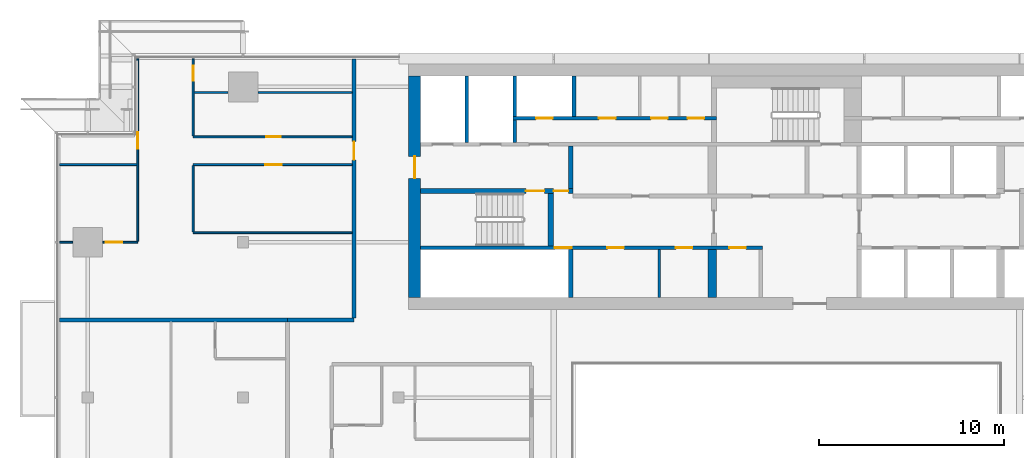
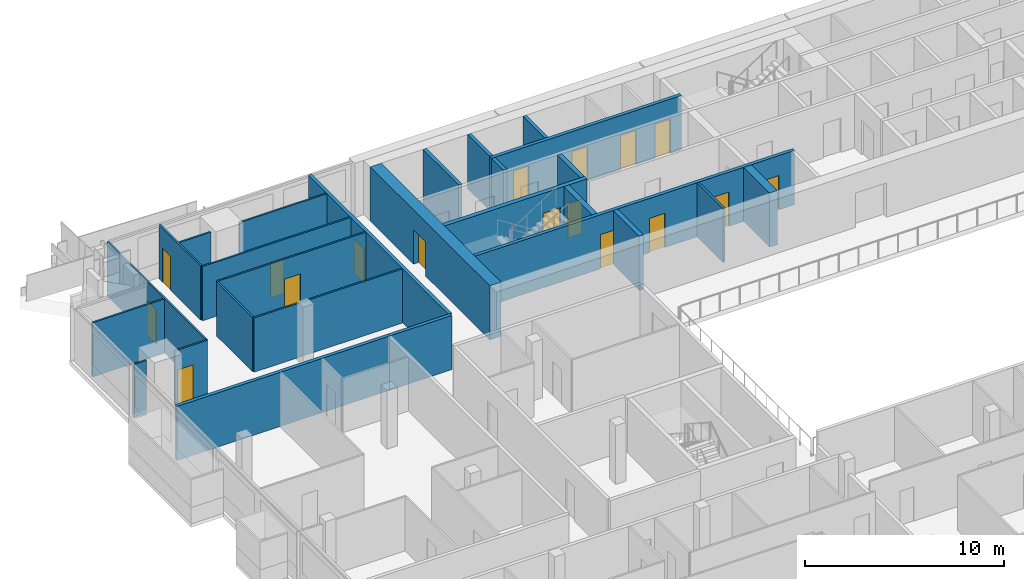
# One storey, part 20 of 30: 27 walls, 17 doors, 17 openings.
"""IFC4 building model written with IfcOpenShell, lengths in metres."""

from ifc_helpers import new_model, si_unit, direction, frame, frame_2d, origin, place, context, subcontext, project, spatial, rectangle, extrude, material, layer, layer_set, type_object, element, fill, save


model = new_model("IFC4")

# Units and contexts
model_context = context("Model", 3, precision=1e-05, world=origin(), true_north=direction((0.0, 1.0)))
body_context = subcontext(model_context, "Body", "Model", "MODEL_VIEW")
ifc_project = project(units=[si_unit("LENGTHUNIT", "METRE"), si_unit("AREAUNIT", "SQUARE_METRE"), si_unit("VOLUMEUNIT", "CUBIC_METRE"), si_unit("PLANEANGLEUNIT", "RADIAN"), si_unit("MASSUNIT", "GRAM", prefix="KILO")], contexts=[model_context])

# Site, building, storey
site_placement = place(None, origin())
site = spatial("IfcSite", under=ifc_project, at=site_placement, CompositionType="ELEMENT")
building_placement = place(site_placement, origin())
building = spatial("IfcBuilding", under=site, at=building_placement, Name="Saffron Gate Tower", CompositionType="ELEMENT")
storey_placement = place(building_placement, frame((0.0, 0.0, 216.300048828125)))
storey = spatial("IfcBuildingStorey", under=building, at=storey_placement, Name="L52", CompositionType="ELEMENT", Elevation=216.300048828125)

# Wall
ifc_material_1 = material(Name="Concrete C60", Category="concrete")
ifc_layer_1 = layer(ifc_material_1, 0.25)
ifc_layer_set_1 = layer_set([ifc_layer_1], Name="CW14 RC core wall 250 C60")
wall_type_1 = type_object("IfcWallType", Name="CW14 RC core wall 250 C60", PredefinedType="SOLIDWALL", material=ifc_layer_set_1)
wall_1_placement = place(storey_placement, frame((75.925048828125, 62.39990234375, 0.0), z_axis=(0.0, 0.0, 1.0), x_axis=(0.0, 1.0, 0.0)))
element("IfcWall", 1, at=wall_1_placement, inside=storey, type_object=wall_type_1, Name="Wall CW14-L52-5", PredefinedType="SOLIDWALL", context=body_context, shape_type="SweptSolid", body=[
    extrude(rectangle(XDim=2.60009765625, YDim=0.25, at=frame_2d((1.300048828125, 0.0))), origin(), (0.0, 0.0, 1.0), 3.320068359375),
])

# Wall, openings, doors
wall_2_placement = place(storey_placement, frame((67.800048828125, 68.175048828125, 0.0), z_axis=(0.0, 0.0, 1.0), x_axis=(1.0, 0.0, 0.0)))
wall_2 = element("IfcWall", 2, at=wall_2_placement, inside=storey, type_object=wall_type_1, Name="Wall CW14-L52-26", PredefinedType="SOLIDWALL", context=body_context, shape_type="SweptSolid", body=[
    extrude(rectangle(XDim=8.25, YDim=0.25, at=frame_2d((4.125, 0.0))), origin(), (0.0, 0.0, 1.0), 3.320068359375),
])
opening_1_placement = place(wall_2_placement, frame((5.699951171875, 0.0, 0.0)))
opening_1 = element("IfcOpeningElement", 3, at=opening_1_placement, cuts=wall_2, Name="Opening CR-15", PredefinedType="OPENING", context=body_context, shape_type="SweptSolid", body=[
    extrude(rectangle(XDim=1.0, YDim=2.10009765625, at=frame_2d((0.5, 1.050048828125))), frame((0.0, 0.135009765625, 0.0), z_axis=(0.0, -1.0, 0.0), x_axis=(1.0, 0.0, 0.0)), (0.0, 0.0, 1.0), 0.27001953125),
])
opening_2_placement = place(wall_2_placement, frame((7.199951171875, 0.0, 0.0)))
opening_2 = element("IfcOpeningElement", 4, at=opening_2_placement, cuts=wall_2, Name="Opening CR-06", PredefinedType="OPENING", context=body_context, shape_type="SweptSolid", body=[
    extrude(rectangle(XDim=0.800048828125, YDim=2.10009765625, at=frame_2d((0.39990234375, 1.050048828125))), frame((0.0, 0.135009765625, 0.0), z_axis=(0.0, -1.0, 0.0), x_axis=(1.0, 0.0, 0.0)), (0.0, 0.0, 1.0), 0.27001953125),
])
ifc_material_2 = material(Name="Steel fire door set", Category="steel")
door_type_1 = type_object("IfcDoorType", Name="CD5 Stair door 1000x2100 EI 120", OperationType="NOTDEFINED", PredefinedType="DOOR", material=ifc_material_2)
door_1_placement = place(opening_1_placement, origin())
door_1 = element("IfcDoor", 5, at=door_1_placement, inside=storey, type_object=door_type_1, Name="DOOR CR-15", OperationType="SINGLE_SWING_RIGHT", OverallHeight=2.10009765625, OverallWidth=1.0, PredefinedType="DOOR", context=body_context, shape_type="SweptSolid", body=[
    extrude(rectangle(XDim=1.0, YDim=2.10009765625, at=frame_2d((0.5, 1.050048828125))), frame((0.0, 0.02490234375, 0.0), z_axis=(0.0, -1.0, 0.0), x_axis=(1.0, 0.0, 0.0)), (0.0, 0.0, 1.0), 0.050048828125),
])
fill(opening_1, door_1)
door_type_2 = type_object("IfcDoorType", Name="CD6 Lobby door 800x2100 EI 120", OperationType="NOTDEFINED", PredefinedType="DOOR", material=ifc_material_2)
door_2_placement = place(opening_2_placement, origin())
door_2 = element("IfcDoor", 6, at=door_2_placement, inside=storey, type_object=door_type_2, Name="DOOR CR-06", OperationType="SINGLE_SWING_LEFT", OverallHeight=2.10009765625, OverallWidth=0.800048828125, PredefinedType="DOOR", context=body_context, shape_type="SweptSolid", body=[
    extrude(rectangle(XDim=0.800048828125, YDim=2.10009765625, at=frame_2d((0.39990234375, 1.050048828125))), frame((0.0, 0.02490234375, 0.0), z_axis=(0.0, -1.0, 0.0), x_axis=(1.0, 0.0, 0.0)), (0.0, 0.0, 1.0), 0.050048828125),
])
fill(opening_2, door_2)

# Wall
wall_3_placement = place(storey_placement, frame((75.925048828125, 68.300048828125, 0.0), z_axis=(0.0, 0.0, 1.0), x_axis=(0.0, 1.0, 0.0)))
element("IfcWall", 7, at=wall_3_placement, inside=storey, type_object=wall_type_1, Name="Wall CW14-L52-28", PredefinedType="SOLIDWALL", context=body_context, shape_type="SweptSolid", body=[
    extrude(rectangle(XDim=2.300048828125, YDim=0.25, at=frame_2d((1.14990234375, 0.0))), origin(), (0.0, 0.0, 1.0), 3.320068359375),
])

# Wall, openings, doors
ifc_layer_2 = layer(ifc_material_1, 0.199951171875)
ifc_layer_set_2 = layer_set([ifc_layer_2], Name="CW15 RC core wall 200 C60")
wall_type_2 = type_object("IfcWallType", Name="CW15 RC core wall 200 C60", PredefinedType="SOLIDWALL", material=ifc_layer_set_2)
wall_4_placement = place(storey_placement, frame((67.800048828125, 65.10009765625, 0.0), z_axis=(0.0, 0.0, 1.0), x_axis=(1.0, 0.0, 0.0)))
wall_4 = element("IfcWall", 8, at=wall_4_placement, inside=storey, type_object=wall_type_2, Name="Wall CW15-L52-13", PredefinedType="SOLIDWALL", context=body_context, shape_type="SweptSolid", body=[
    extrude(rectangle(XDim=18.5, YDim=0.199951171875, at=frame_2d((9.25, 0.0))), origin(), (0.0, 0.0, 1.0), 3.320068359375),
])
opening_3_placement = place(wall_4_placement, frame((7.27001953125, 0.0, 0.0)))
opening_3 = element("IfcOpeningElement", 9, at=opening_3_placement, cuts=wall_4, Name="Opening CR-49", PredefinedType="OPENING", context=body_context, shape_type="SweptSolid", body=[
    extrude(rectangle(XDim=0.89990234375, YDim=2.10009765625, at=frame_2d((0.449951171875, 1.050048828125))), frame((0.0, 0.10986328125, 0.0), z_axis=(0.0, -1.0, 0.0), x_axis=(1.0, 0.0, 0.0)), (0.0, 0.0, 1.0), 0.219970703125),
])
opening_4_placement = place(wall_4_placement, frame((10.10009765625, 0.0, 0.0)))
opening_4 = element("IfcOpeningElement", 10, at=opening_4_placement, cuts=wall_4, Name="Opening CR-64", PredefinedType="OPENING", context=body_context, shape_type="SweptSolid", body=[
    extrude(rectangle(XDim=0.89990234375, YDim=2.10009765625, at=frame_2d((0.449951171875, 1.050048828125))), frame((0.0, 0.10986328125, 0.0), z_axis=(0.0, -1.0, 0.0), x_axis=(1.0, 0.0, 0.0)), (0.0, 0.0, 1.0), 0.219970703125),
])
opening_5_placement = place(wall_4_placement, frame((13.81005859375, 0.0, 0.0)))
opening_5 = element("IfcOpeningElement", 11, at=opening_5_placement, cuts=wall_4, Name="Opening CR-65", PredefinedType="OPENING", context=body_context, shape_type="SweptSolid", body=[
    extrude(rectangle(XDim=0.89990234375, YDim=2.10009765625, at=frame_2d((0.449951171875, 1.050048828125))), frame((0.0, 0.10986328125, 0.0), z_axis=(0.0, -1.0, 0.0), x_axis=(1.0, 0.0, 0.0)), (0.0, 0.0, 1.0), 0.219970703125),
])
opening_6_placement = place(wall_4_placement, frame((16.699951171875, 0.0, 0.0)))
opening_6 = element("IfcOpeningElement", 12, at=opening_6_placement, cuts=wall_4, Name="Opening CR-69", PredefinedType="OPENING", context=body_context, shape_type="SweptSolid", body=[
    extrude(rectangle(XDim=0.89990234375, YDim=2.10009765625, at=frame_2d((0.449951171875, 1.050048828125))), frame((0.0, 0.10986328125, 0.0), z_axis=(0.0, -1.0, 0.0), x_axis=(1.0, 0.0, 0.0)), (0.0, 0.0, 1.0), 0.219970703125),
])
door_type_3 = type_object("IfcDoorType", Name="CD2 Riser door 900x2100 EI 60", OperationType="NOTDEFINED", PredefinedType="DOOR", material=ifc_material_2)
door_3_placement = place(opening_3_placement, origin())
door_3 = element("IfcDoor", 13, at=door_3_placement, inside=storey, type_object=door_type_3, Name="DOOR CR-49", OperationType="SINGLE_SWING_LEFT", OverallHeight=2.10009765625, OverallWidth=0.89990234375, PredefinedType="DOOR", context=body_context, shape_type="SweptSolid", body=[
    extrude(rectangle(XDim=0.89990234375, YDim=2.10009765625, at=frame_2d((0.449951171875, 1.050048828125))), frame((0.0, 0.02490234375, 0.0), z_axis=(0.0, -1.0, 0.0), x_axis=(1.0, 0.0, 0.0)), (0.0, 0.0, 1.0), 0.050048828125),
])
fill(opening_3, door_3)
door_type_4 = type_object("IfcDoorType", Name="CD9 Room door 900x2100 EI 60", OperationType="NOTDEFINED", PredefinedType="DOOR", material=ifc_material_2)
door_4_placement = place(opening_4_placement, origin())
door_4 = element("IfcDoor", 14, at=door_4_placement, inside=storey, type_object=door_type_4, Name="DOOR CR-64", OperationType="SINGLE_SWING_RIGHT", OverallHeight=2.10009765625, OverallWidth=0.89990234375, PredefinedType="DOOR", context=body_context, shape_type="SweptSolid", body=[
    extrude(rectangle(XDim=0.89990234375, YDim=2.10009765625, at=frame_2d((0.449951171875, 1.050048828125))), frame((0.0, 0.02490234375, 0.0), z_axis=(0.0, -1.0, 0.0), x_axis=(1.0, 0.0, 0.0)), (0.0, 0.0, 1.0), 0.050048828125),
])
fill(opening_4, door_4)
door_5_placement = place(opening_5_placement, origin())
door_5 = element("IfcDoor", 15, at=door_5_placement, inside=storey, type_object=door_type_4, Name="DOOR CR-65", OperationType="SINGLE_SWING_RIGHT", OverallHeight=2.10009765625, OverallWidth=0.89990234375, PredefinedType="DOOR", context=body_context, shape_type="SweptSolid", body=[
    extrude(rectangle(XDim=0.89990234375, YDim=2.10009765625, at=frame_2d((0.449951171875, 1.050048828125))), frame((0.0, 0.02490234375, 0.0), z_axis=(0.0, -1.0, 0.0), x_axis=(1.0, 0.0, 0.0)), (0.0, 0.0, 1.0), 0.050048828125),
])
fill(opening_5, door_5)
door_6_placement = place(opening_6_placement, origin())
door_6 = element("IfcDoor", 16, at=door_6_placement, inside=storey, type_object=door_type_4, Name="DOOR CR-69", OperationType="SINGLE_SWING_RIGHT", OverallHeight=2.10009765625, OverallWidth=0.89990234375, PredefinedType="DOOR", context=body_context, shape_type="SweptSolid", body=[
    extrude(rectangle(XDim=0.89990234375, YDim=2.10009765625, at=frame_2d((0.449951171875, 1.050048828125))), frame((0.0, 0.02490234375, 0.0), z_axis=(0.0, -1.0, 0.0), x_axis=(1.0, 0.0, 0.0)), (0.0, 0.0, 1.0), 0.050048828125),
])
fill(opening_6, door_6)

# Walls
wall_5_placement = place(storey_placement, frame((70.300048828125, 70.800048828125, 0.0), z_axis=(0.0, 0.0, 1.0), x_axis=(0.0, 1.0, 0.0)))
element("IfcWall", 17, at=wall_5_placement, inside=storey, type_object=wall_type_2, Name="Wall CW15-L52-31", PredefinedType="SOLIDWALL", context=body_context, shape_type="SweptSolid", body=[
    extrude(rectangle(XDim=3.599853515625, YDim=0.199951171875, at=frame_2d((1.7998046875, 0.0))), origin(), (0.0, 0.0, 1.0), 3.320068359375),
])
wall_6_placement = place(storey_placement, frame((72.89990234375, 70.800048828125, 0.0), z_axis=(0.0, 0.0, 1.0), x_axis=(0.0, 1.0, 0.0)))
element("IfcWall", 18, at=wall_6_placement, inside=storey, type_object=wall_type_2, Name="Wall CW15-L52-32", PredefinedType="SOLIDWALL", context=body_context, shape_type="SweptSolid", body=[
    extrude(rectangle(XDim=1.199951171875, YDim=0.199951171875, at=frame_2d((0.60009765625, 0.0))), origin(), (0.0, 0.0, 1.0), 3.320068359375),
])

# Wall, openings, doors
wall_7_placement = place(storey_placement, frame((72.800048828125, 72.10009765625, 0.0), z_axis=(0.0, 0.0, 1.0), x_axis=(1.0, 0.0, 0.0)))
wall_7 = element("IfcWall", 19, at=wall_7_placement, inside=storey, type_object=wall_type_2, Name="Wall CW15-L52-37", PredefinedType="SOLIDWALL", context=body_context, shape_type="SweptSolid", body=[
    extrude(rectangle(XDim=11.0, YDim=0.199951171875, at=frame_2d((5.5, 0.0))), origin(), (0.0, 0.0, 1.0), 3.320068359375),
])
opening_7_placement = place(wall_7_placement, frame((1.25, 0.0, 0.0)))
opening_7 = element("IfcOpeningElement", 20, at=opening_7_placement, cuts=wall_7, Name="Opening CR-71", PredefinedType="OPENING", context=body_context, shape_type="SweptSolid", body=[
    extrude(rectangle(XDim=0.89990234375, YDim=2.10009765625, at=frame_2d((0.449951171875, 1.050048828125))), frame((0.0, 0.10986328125, 0.0), z_axis=(0.0, -1.0, 0.0), x_axis=(1.0, 0.0, 0.0)), (0.0, 0.0, 1.0), 0.219970703125),
])
opening_8_placement = place(wall_7_placement, frame((4.64990234375, 0.0, 0.0)))
opening_8 = element("IfcOpeningElement", 21, at=opening_8_placement, cuts=wall_7, Name="Opening CR-55", PredefinedType="OPENING", context=body_context, shape_type="SweptSolid", body=[
    extrude(rectangle(XDim=0.89990234375, YDim=2.10009765625, at=frame_2d((0.449951171875, 1.050048828125))), frame((0.0, 0.10986328125, 0.0), z_axis=(0.0, -1.0, 0.0), x_axis=(1.0, 0.0, 0.0)), (0.0, 0.0, 1.0), 0.219970703125),
])
opening_9_placement = place(wall_7_placement, frame((7.469970703125, 0.0, 0.0)))
opening_9 = element("IfcOpeningElement", 22, at=opening_9_placement, cuts=wall_7, Name="Opening CR-58", PredefinedType="OPENING", context=body_context, shape_type="SweptSolid", body=[
    extrude(rectangle(XDim=0.89990234375, YDim=2.10009765625, at=frame_2d((0.449951171875, 1.050048828125))), frame((0.0, 0.10986328125, 0.0), z_axis=(0.0, -1.0, 0.0), x_axis=(1.0, 0.0, 0.0)), (0.0, 0.0, 1.0), 0.219970703125),
])
opening_10_placement = place(wall_7_placement, frame((9.445068359375, 0.0, 0.0)))
opening_10 = element("IfcOpeningElement", 23, at=opening_10_placement, cuts=wall_7, Name="Opening CR-59", PredefinedType="OPENING", context=body_context, shape_type="SweptSolid", body=[
    extrude(rectangle(XDim=0.89990234375, YDim=2.10009765625, at=frame_2d((0.449951171875, 1.050048828125))), frame((0.0, 0.10986328125, 0.0), z_axis=(0.0, -1.0, 0.0), x_axis=(1.0, 0.0, 0.0)), (0.0, 0.0, 1.0), 0.219970703125),
])
door_7_placement = place(opening_7_placement, origin())
door_7 = element("IfcDoor", 24, at=door_7_placement, inside=storey, type_object=door_type_3, Name="DOOR CR-71", OperationType="SINGLE_SWING_LEFT", OverallHeight=2.10009765625, OverallWidth=0.89990234375, PredefinedType="DOOR", context=body_context, shape_type="SweptSolid", body=[
    extrude(rectangle(XDim=0.89990234375, YDim=2.10009765625, at=frame_2d((0.449951171875, 1.050048828125))), frame((0.0, 0.02490234375, 0.0), z_axis=(0.0, -1.0, 0.0), x_axis=(1.0, 0.0, 0.0)), (0.0, 0.0, 1.0), 0.050048828125),
])
fill(opening_7, door_7)
door_8_placement = place(opening_8_placement, origin())
door_8 = element("IfcDoor", 25, at=door_8_placement, inside=storey, type_object=door_type_4, Name="DOOR CR-55", OperationType="SINGLE_SWING_LEFT", OverallHeight=2.10009765625, OverallWidth=0.89990234375, PredefinedType="DOOR", context=body_context, shape_type="SweptSolid", body=[
    extrude(rectangle(XDim=0.89990234375, YDim=2.10009765625, at=frame_2d((0.449951171875, 1.050048828125))), frame((0.0, 0.02490234375, 0.0), z_axis=(0.0, -1.0, 0.0), x_axis=(1.0, 0.0, 0.0)), (0.0, 0.0, 1.0), 0.050048828125),
])
fill(opening_8, door_8)
door_9_placement = place(opening_9_placement, origin())
door_9 = element("IfcDoor", 26, at=door_9_placement, inside=storey, type_object=door_type_4, Name="DOOR CR-58", OperationType="SINGLE_SWING_LEFT", OverallHeight=2.10009765625, OverallWidth=0.89990234375, PredefinedType="DOOR", context=body_context, shape_type="SweptSolid", body=[
    extrude(rectangle(XDim=0.89990234375, YDim=2.10009765625, at=frame_2d((0.449951171875, 1.050048828125))), frame((0.0, 0.02490234375, 0.0), z_axis=(0.0, -1.0, 0.0), x_axis=(1.0, 0.0, 0.0)), (0.0, 0.0, 1.0), 0.050048828125),
])
fill(opening_9, door_9)
door_10_placement = place(opening_10_placement, origin())
door_10 = element("IfcDoor", 27, at=door_10_placement, inside=storey, type_object=door_type_4, Name="DOOR CR-59", OperationType="SINGLE_SWING_LEFT", OverallHeight=2.10009765625, OverallWidth=0.89990234375, PredefinedType="DOOR", context=body_context, shape_type="SweptSolid", body=[
    extrude(rectangle(XDim=0.89990234375, YDim=2.10009765625, at=frame_2d((0.449951171875, 1.050048828125))), frame((0.0, 0.02490234375, 0.0), z_axis=(0.0, -1.0, 0.0), x_axis=(1.0, 0.0, 0.0)), (0.0, 0.0, 1.0), 0.050048828125),
])
fill(opening_10, door_10)

# Walls
for number, where, z_axis, x_axis, name in (
    (28, (72.89990234375, 72.199951171875, 0.0), (0.0, 0.0, 1.0), (0.0, 1.0, 0.0), "Wall CW15-L52-39"),
    (29, (76.10009765625, 72.199951171875, 0.0), (0.0, 0.0, 1.0), (0.0, 1.0, 0.0), "Wall CW15-L52-40"),
):
    element("IfcWall", number, at=place(storey_placement, frame(where, z_axis=z_axis, x_axis=x_axis)), inside=storey, type_object=wall_type_2, Name=name, PredefinedType="SOLIDWALL", context=body_context, shape_type="SweptSolid", body=[
        extrude(rectangle(XDim=2.199951171875, YDim=0.199951171875, at=frame_2d((1.10009765625, 0.0))), origin(), (0.0, 0.0, 1.0), 3.320068359375),
    ])
ifc_layer_3 = layer(ifc_material_1, 0.449951171875)
ifc_layer_set_3 = layer_set([ifc_layer_3], Name="CW16 RC core wall 450 C60")
wall_type_3 = type_object("IfcWallType", Name="CW16 RC core wall 450 C60", PredefinedType="SOLIDWALL", material=ifc_layer_set_3)
wall_8_placement = place(storey_placement, frame((83.574951171875, 62.39990234375, 0.0), z_axis=(0.0, 0.0, 1.0), x_axis=(0.0, 1.0, 0.0)))
element("IfcWall", 30, at=wall_8_placement, inside=storey, type_object=wall_type_3, Name="Wall CW16-L52-7", PredefinedType="SOLIDWALL", context=body_context, shape_type="SweptSolid", body=[
    extrude(rectangle(XDim=2.60009765625, YDim=0.449951171875, at=frame_2d((1.300048828125, 0.0))), origin(), (0.0, 0.0, 1.0), 3.320068359375),
])
ifc_layer_4 = layer(ifc_material_1, 0.300048828125)
ifc_layer_set_4 = layer_set([ifc_layer_4], Name="CW17 RC core wall 300 C60")
wall_type_4 = type_object("IfcWallType", Name="CW17 RC core wall 300 C60", PredefinedType="SOLIDWALL", material=ifc_layer_set_4)
wall_9_placement = place(storey_placement, frame((74.85009765625, 65.199951171875, 0.0), z_axis=(0.0, 0.0, 1.0), x_axis=(0.0, 1.0, 0.0)))
element("IfcWall", 31, at=wall_9_placement, inside=storey, type_object=wall_type_4, Name="Wall CW17-L52-15", PredefinedType="SOLIDWALL", context=body_context, shape_type="SweptSolid", body=[
    extrude(rectangle(XDim=2.85009765625, YDim=0.300048828125, at=frame_2d((1.425048828125, 0.0))), origin(), (0.0, 0.0, 1.0), 3.320068359375),
])

# Wall, opening, door
ifc_layer_5 = layer(ifc_material_1, 0.64990234375)
ifc_layer_set_5 = layer_set([ifc_layer_5], Name="CW20 RC core wall 650 C60")
wall_type_5 = type_object("IfcWallType", Name="CW20 RC core wall 650 C60", PredefinedType="SOLIDWALL", material=ifc_layer_set_5)
wall_10_placement = place(storey_placement, frame((67.47509765625, 62.39990234375, 0.0), z_axis=(0.0, 0.0, 1.0), x_axis=(0.0, 1.0, 0.0)))
wall_10 = element("IfcWall", 32, at=wall_10_placement, inside=storey, type_object=wall_type_5, Name="Wall CW20-L52-3", PredefinedType="SOLIDWALL", context=body_context, shape_type="SweptSolid", body=[
    extrude(rectangle(XDim=12.0, YDim=0.64990234375, at=frame_2d((6.0, 0.0))), origin(), (0.0, 0.0, 1.0), 3.320068359375),
])
opening_11_placement = place(wall_10_placement, frame((6.449951171875, 0.0, 0.0)))
opening_11 = element("IfcOpeningElement", 33, at=opening_11_placement, cuts=wall_10, Name="Opening CR-10", PredefinedType="OPENING", context=body_context, shape_type="SweptSolid", body=[
    extrude(rectangle(XDim=1.199951171875, YDim=2.10009765625, at=frame_2d((0.60009765625, 1.050048828125))), frame((0.0, 0.3349609375, 0.0), z_axis=(0.0, -1.0, 0.0), x_axis=(1.0, 0.0, 0.0)), (0.0, 0.0, 1.0), 0.669921875),
])
door_type_5 = type_object("IfcDoorType", Name="CD7 Core entrance door 1200x2100 EI 120", OperationType="NOTDEFINED", PredefinedType="DOOR", material=ifc_material_2)
door_11_placement = place(opening_11_placement, origin())
door_11 = element("IfcDoor", 34, at=door_11_placement, inside=storey, type_object=door_type_5, Name="DOOR CR-10", OperationType="SINGLE_SWING_LEFT", OverallHeight=2.10009765625, OverallWidth=1.199951171875, PredefinedType="DOOR", context=body_context, shape_type="SweptSolid", body=[
    extrude(rectangle(XDim=1.199951171875, YDim=2.10009765625, at=frame_2d((0.60009765625, 1.050048828125))), frame((0.0, 0.02490234375, 0.0), z_axis=(0.0, -1.0, 0.0), x_axis=(1.0, 0.0, 0.0)), (0.0, 0.0, 1.0), 0.050048828125),
])
fill(opening_11, door_11)

# Walls
ifc_material_3 = material(Name="Gypsum board partition on steel studs", Category="steel")
ifc_layer_6 = layer(ifc_material_3, 0.1201171875)
ifc_layer_set_6 = layer_set([ifc_layer_6], Name="CW8 Core partition 120")
wall_type_6 = type_object("IfcWallType", Name="CW8 Core partition 120", PredefinedType="PARTITIONING", material=ifc_layer_set_6)
wall_11_placement = place(storey_placement, frame((80.7099609375, 62.39990234375, 0.0), z_axis=(0.0, 0.0, 1.0), x_axis=(0.0, 1.0, 0.0)))
element("IfcWall", 35, at=wall_11_placement, inside=storey, type_object=wall_type_6, Name="Wall CW8-L52-6", PredefinedType="PARTITIONING", context=body_context, shape_type="SweptSolid", body=[
    extrude(rectangle(XDim=2.60009765625, YDim=0.1201171875, at=frame_2d((1.300048828125, 0.0))), origin(), (0.0, 0.0, 1.0), 3.320068359375),
])
ifc_material_4 = material(Name="Plasterboard on steel studs", Category="steel")
ifc_layer_7 = layer(ifc_material_4, 0.10009765625)
ifc_layer_set_7 = layer_set([ifc_layer_7], Name="PW1 Partition 100")
wall_type_7 = type_object("IfcWallType", Name="PW1 Partition 100", PredefinedType="PARTITIONING", material=ifc_layer_set_7)
wall_12_placement = place(storey_placement, frame((48.280029296875, 65.39990234375, 0.0), z_axis=(0.0, 0.0, 1.0), x_axis=(1.0, 0.0, 0.0)))
element("IfcWall", 36, at=wall_12_placement, inside=storey, type_object=wall_type_7, Name="Partition D2-44", PredefinedType="PARTITIONING", context=body_context, shape_type="SweptSolid", body=[
    extrude(rectangle(XDim=0.699951171875, YDim=0.10009765625, at=frame_2d((0.35009765625, 0.0))), origin(), (0.0, 0.0, 1.0), 3.320068359375),
])

# Wall, opening, door
wall_13_placement = place(storey_placement, frame((50.6201171875, 65.39990234375, 0.0), z_axis=(0.0, 0.0, 1.0), x_axis=(1.0, 0.0, 0.0)))
wall_13 = element("IfcWall", 37, at=wall_13_placement, inside=storey, type_object=wall_type_7, Name="Partition D2-45", PredefinedType="PARTITIONING", context=body_context, shape_type="SweptSolid", body=[
    extrude(rectangle(XDim=1.8798828125, YDim=0.10009765625, at=frame_2d((0.93994140625, 0.0))), origin(), (0.0, 0.0, 1.0), 3.320068359375),
])
opening_12_placement = place(wall_13_placement, frame((0.14990234375, 0.0, 0.0)))
opening_12 = element("IfcOpeningElement", 38, at=opening_12_placement, cuts=wall_13, Name="Opening D2-28", PredefinedType="OPENING", context=body_context, shape_type="SweptSolid", body=[
    extrude(rectangle(XDim=0.89990234375, YDim=2.10009765625, at=frame_2d((0.449951171875, 1.050048828125))), frame((0.0, 0.06005859375, 0.0), z_axis=(0.0, -1.0, 0.0), x_axis=(1.0, 0.0, 0.0)), (0.0, 0.0, 1.0), 0.1201171875),
])
ifc_material_5 = material(Name="Timber door set", Category="wood")
door_type_6 = type_object("IfcDoorType", Name="RD1 Room door 900x2100", OperationType="NOTDEFINED", PredefinedType="DOOR", material=ifc_material_5)
door_12_placement = place(opening_12_placement, origin())
door_12 = element("IfcDoor", 39, at=door_12_placement, inside=storey, type_object=door_type_6, Name="Door D2-28", OperationType="SINGLE_SWING_LEFT", OverallHeight=2.10009765625, OverallWidth=0.89990234375, PredefinedType="DOOR", context=body_context, shape_type="SweptSolid", body=[
    extrude(rectangle(XDim=0.89990234375, YDim=2.10009765625, at=frame_2d((0.449951171875, 1.050048828125))), frame((0.0, 0.02490234375, 0.0), z_axis=(0.0, -1.0, 0.0), x_axis=(1.0, 0.0, 0.0)), (0.0, 0.0, 1.0), 0.050048828125),
])
fill(opening_12, door_12)

# Walls
wall_14_placement = place(storey_placement, frame((55.5, 65.91259765625, 0.0), z_axis=(0.0, 0.0, 1.0), x_axis=(1.0, 0.0, 0.0)))
element("IfcWall", 40, at=wall_14_placement, inside=storey, type_object=wall_type_7, Name="Partition D2-48", PredefinedType="PARTITIONING", context=body_context, shape_type="SweptSolid", body=[
    extrude(rectangle(XDim=8.60009765625, YDim=0.10009765625, at=frame_2d((4.300048828125, 0.0))), origin(), (0.0, 0.0, 1.0), 3.320068359375),
])
wall_15_placement = place(storey_placement, frame((48.280029296875, 69.60009765625, 0.0), z_axis=(0.0, 0.0, 1.0), x_axis=(1.0, 0.0, 0.0)))
element("IfcWall", 41, at=wall_15_placement, inside=storey, type_object=wall_type_7, Name="Partition D2-50", PredefinedType="PARTITIONING", context=body_context, shape_type="SweptSolid", body=[
    extrude(rectangle(XDim=4.169921875, YDim=0.10009765625, at=frame_2d((2.0849609375, 0.0))), origin(), (0.0, 0.0, 1.0), 3.320068359375),
])

# Wall, opening, door
wall_16_placement = place(storey_placement, frame((64.10009765625, 69.60009765625, 0.0), z_axis=(0.0, 0.0, 1.0), x_axis=(-1.0, 0.0, 0.0)))
wall_16 = element("IfcWall", 42, at=wall_16_placement, inside=storey, type_object=wall_type_7, Name="Partition D2-51", PredefinedType="PARTITIONING", context=body_context, shape_type="SweptSolid", body=[
    extrude(rectangle(XDim=8.60009765625, YDim=0.10009765625, at=frame_2d((4.300048828125, 0.0))), origin(), (0.0, 0.0, 1.0), 3.320068359375),
])
opening_13_placement = place(wall_16_placement, frame((3.800048828125, 0.0, 0.0)))
opening_13 = element("IfcOpeningElement", 43, at=opening_13_placement, cuts=wall_16, Name="Opening D2-30", PredefinedType="OPENING", context=body_context, shape_type="SweptSolid", body=[
    extrude(rectangle(XDim=0.89990234375, YDim=2.10009765625, at=frame_2d((0.449951171875, 1.050048828125))), frame((0.0, 0.06005859375, 0.0), z_axis=(0.0, -1.0, 0.0), x_axis=(1.0, 0.0, 0.0)), (0.0, 0.0, 1.0), 0.1201171875),
])
door_13_placement = place(opening_13_placement, origin())
door_13 = element("IfcDoor", 44, at=door_13_placement, inside=storey, type_object=door_type_6, Name="Door D2-30", OperationType="SINGLE_SWING_LEFT", OverallHeight=2.10009765625, OverallWidth=0.89990234375, PredefinedType="DOOR", context=body_context, shape_type="SweptSolid", body=[
    extrude(rectangle(XDim=0.89990234375, YDim=2.10009765625, at=frame_2d((0.449951171875, 1.050048828125))), frame((0.0, 0.02490234375, 0.0), z_axis=(0.0, -1.0, 0.0), x_axis=(1.0, 0.0, 0.0)), (0.0, 0.0, 1.0), 0.050048828125),
])
fill(opening_13, door_13)

wall_17_placement = place(storey_placement, frame((55.5, 71.10009765625, 0.0), z_axis=(0.0, 0.0, 1.0), x_axis=(1.0, 0.0, 0.0)))
wall_17 = element("IfcWall", 45, at=wall_17_placement, inside=storey, type_object=wall_type_7, Name="Partition D2-54", PredefinedType="PARTITIONING", context=body_context, shape_type="SweptSolid", body=[
    extrude(rectangle(XDim=8.60009765625, YDim=0.10009765625, at=frame_2d((4.300048828125, 0.0))), origin(), (0.0, 0.0, 1.0), 3.320068359375),
])
opening_14_placement = place(wall_17_placement, frame((3.949951171875, 0.0, 0.0)))
opening_14 = element("IfcOpeningElement", 46, at=opening_14_placement, cuts=wall_17, Name="Opening D2-47", PredefinedType="OPENING", context=body_context, shape_type="SweptSolid", body=[
    extrude(rectangle(XDim=0.800048828125, YDim=2.10009765625, at=frame_2d((0.39990234375, 1.050048828125))), frame((0.0, 0.06005859375, 0.0), z_axis=(0.0, -1.0, 0.0), x_axis=(1.0, 0.0, 0.0)), (0.0, 0.0, 1.0), 0.1201171875),
])
door_type_7 = type_object("IfcDoorType", Name="RD2 Bathroom door 800x2100", OperationType="NOTDEFINED", PredefinedType="DOOR", material=ifc_material_5)
door_14_placement = place(opening_14_placement, origin())
door_14 = element("IfcDoor", 47, at=door_14_placement, inside=storey, type_object=door_type_7, Name="Door D2-47", OperationType="SINGLE_SWING_RIGHT", OverallHeight=2.10009765625, OverallWidth=0.800048828125, PredefinedType="DOOR", context=body_context, shape_type="SweptSolid", body=[
    extrude(rectangle(XDim=0.800048828125, YDim=2.10009765625, at=frame_2d((0.39990234375, 1.050048828125))), frame((0.0, 0.02490234375, 0.0), z_axis=(0.0, -1.0, 0.0), x_axis=(1.0, 0.0, 0.0)), (0.0, 0.0, 1.0), 0.050048828125),
])
fill(opening_14, door_14)

# Walls
wall_18_placement = place(storey_placement, frame((55.550048828125, 73.5, 0.0), z_axis=(0.0, 0.0, 1.0), x_axis=(1.0, 0.0, 0.0)))
element("IfcWall", 48, at=wall_18_placement, inside=storey, type_object=wall_type_7, Name="Partition D2-56", PredefinedType="PARTITIONING", context=body_context, shape_type="SweptSolid", body=[
    extrude(rectangle(XDim=1.829833984375, YDim=0.10009765625, at=frame_2d((0.9150390625, 0.0))), origin(), (0.0, 0.0, 1.0), 3.320068359375),
])
wall_19_placement = place(storey_placement, frame((59.02001953125, 73.5, 0.0), z_axis=(0.0, 0.0, 1.0), x_axis=(1.0, 0.0, 0.0)))
element("IfcWall", 49, at=wall_19_placement, inside=storey, type_object=wall_type_7, Name="Partition D2-57", PredefinedType="PARTITIONING", context=body_context, shape_type="SweptSolid", body=[
    extrude(rectangle(XDim=5.080078125, YDim=0.10009765625, at=frame_2d((2.5400390625, 0.0))), origin(), (0.0, 0.0, 1.0), 3.320068359375),
])

# Wall, opening, door
wall_20_placement = place(storey_placement, frame((52.5, 65.449951171875, 0.0), z_axis=(0.0, 0.0, 1.0), x_axis=(0.0, 1.0, 0.0)))
wall_20 = element("IfcWall", 50, at=wall_20_placement, inside=storey, type_object=wall_type_7, Name="Partition D2-58", PredefinedType="PARTITIONING", context=body_context, shape_type="SweptSolid", body=[
    extrude(rectangle(XDim=9.8701171875, YDim=0.10009765625, at=frame_2d((4.93505859375, 0.0))), origin(), (0.0, 0.0, 1.0), 3.320068359375),
])
opening_15_placement = place(wall_20_placement, frame((5.00390625, 0.0, 0.0)))
opening_15 = element("IfcOpeningElement", 51, at=opening_15_placement, cuts=wall_20, Name="Opening D2-29", PredefinedType="OPENING", context=body_context, shape_type="SweptSolid", body=[
    extrude(rectangle(XDim=0.89990234375, YDim=2.10009765625, at=frame_2d((0.449951171875, 1.050048828125))), frame((0.0, 0.06005859375, 0.0), z_axis=(0.0, -1.0, 0.0), x_axis=(1.0, 0.0, 0.0)), (0.0, 0.0, 1.0), 0.1201171875),
])
door_15_placement = place(opening_15_placement, origin())
door_15 = element("IfcDoor", 52, at=door_15_placement, inside=storey, type_object=door_type_6, Name="Door D2-29", OperationType="SINGLE_SWING_LEFT", OverallHeight=2.10009765625, OverallWidth=0.89990234375, PredefinedType="DOOR", context=body_context, shape_type="SweptSolid", body=[
    extrude(rectangle(XDim=0.89990234375, YDim=2.10009765625, at=frame_2d((0.449951171875, 1.050048828125))), frame((0.0, 0.02490234375, 0.0), z_axis=(0.0, -1.0, 0.0), x_axis=(1.0, 0.0, 0.0)), (0.0, 0.0, 1.0), 0.050048828125),
])
fill(opening_15, door_15)

# Wall
wall_21_placement = place(storey_placement, frame((55.5, 69.550048828125, 0.0), z_axis=(0.0, 0.0, 1.0), x_axis=(0.0, -1.0, 0.0)))
element("IfcWall", 53, at=wall_21_placement, inside=storey, type_object=wall_type_7, Name="Partition D2-63", PredefinedType="PARTITIONING", context=body_context, shape_type="SweptSolid", body=[
    extrude(rectangle(XDim=3.58740234375, YDim=0.10009765625, at=frame_2d((1.793701171875, 0.0))), origin(), (0.0, 0.0, 1.0), 3.320068359375),
])

# Wall, opening, door
wall_22_placement = place(storey_placement, frame((55.5, 75.320068359375, 0.0), z_axis=(0.0, 0.0, 1.0), x_axis=(0.0, -1.0, 0.0)))
wall_22 = element("IfcWall", 54, at=wall_22_placement, inside=storey, type_object=wall_type_7, Name="Partition D2-64", PredefinedType="PARTITIONING", context=body_context, shape_type="SweptSolid", body=[
    extrude(rectangle(XDim=4.170166015625, YDim=0.10009765625, at=frame_2d((2.0849609375, 0.0))), origin(), (0.0, 0.0, 1.0), 3.320068359375),
])
opening_16_placement = place(wall_22_placement, frame((0.3701171875, 0.0, 0.0)))
opening_16 = element("IfcOpeningElement", 55, at=opening_16_placement, cuts=wall_22, Name="Opening D2-48", PredefinedType="OPENING", context=body_context, shape_type="SweptSolid", body=[
    extrude(rectangle(XDim=0.800048828125, YDim=2.10009765625, at=frame_2d((0.39990234375, 1.050048828125))), frame((0.0, 0.06005859375, 0.0), z_axis=(0.0, -1.0, 0.0), x_axis=(1.0, 0.0, 0.0)), (0.0, 0.0, 1.0), 0.1201171875),
])
door_16_placement = place(opening_16_placement, origin())
door_16 = element("IfcDoor", 56, at=door_16_placement, inside=storey, type_object=door_type_7, Name="Door D2-48", OperationType="SINGLE_SWING_LEFT", OverallHeight=2.10009765625, OverallWidth=0.800048828125, PredefinedType="DOOR", context=body_context, shape_type="SweptSolid", body=[
    extrude(rectangle(XDim=0.800048828125, YDim=2.10009765625, at=frame_2d((0.39990234375, 1.050048828125))), frame((0.0, 0.02490234375, 0.0), z_axis=(0.0, -1.0, 0.0), x_axis=(1.0, 0.0, 0.0)), (0.0, 0.0, 1.0), 0.050048828125),
])
fill(opening_16, door_16)

# Walls
ifc_material_6 = material(Name="Clay brick masonry, rendered", Category="masonry")
ifc_layer_8 = layer(ifc_material_6, 0.199951171875)
ifc_layer_set_8 = layer_set([ifc_layer_8], Name="PW2 Demising wall 200")
wall_type_8 = type_object("IfcWallType", Name="PW2 Demising wall 200", PredefinedType="PARTITIONING", material=ifc_layer_set_8)
wall_23_placement = place(storey_placement, frame((48.280029296875, 61.199951171875, 0.0), z_axis=(0.0, 0.0, 1.0), x_axis=(1.0, 0.0, 0.0)))
element("IfcWall", 57, at=wall_23_placement, inside=storey, type_object=wall_type_8, Name="Wall D2-42", PredefinedType="PARTITIONING", context=body_context, shape_type="SweptSolid", body=[
    extrude(rectangle(XDim=12.320068359375, YDim=0.199951171875, at=frame_2d((6.16015625, 0.0))), origin(), (0.0, 0.0, 1.0), 3.320068359375),
])
ifc_layer_9 = layer(ifc_material_6, 0.199951171875)
ifc_layer_set_9 = layer_set([ifc_layer_9], Name="PW3 Corridor wall 200")
wall_type_9 = type_object("IfcWallType", Name="PW3 Corridor wall 200", PredefinedType="PARTITIONING", material=ifc_layer_set_9)
wall_24_placement = place(storey_placement, frame((60.60009765625, 61.199951171875, 0.0), z_axis=(0.0, 0.0, 1.0), x_axis=(1.0, 0.0, 0.0)))
element("IfcWall", 58, at=wall_24_placement, inside=storey, type_object=wall_type_9, Name="Wall D2-40", PredefinedType="PARTITIONING", context=body_context, shape_type="SweptSolid", body=[
    extrude(rectangle(XDim=3.599853515625, YDim=0.199951171875, at=frame_2d((1.7998046875, 0.0))), origin(), (0.0, 0.0, 1.0), 3.320068359375),
])

# Wall, opening, door
wall_25_placement = place(storey_placement, frame((64.199951171875, 61.300048828125, 0.0), z_axis=(0.0, 0.0, 1.0), x_axis=(0.0, 1.0, 0.0)))
wall_25 = element("IfcWall", 59, at=wall_25_placement, inside=storey, type_object=wall_type_9, Name="Wall D2-71", PredefinedType="PARTITIONING", context=body_context, shape_type="SweptSolid", body=[
    extrude(rectangle(XDim=14.02001953125, YDim=0.199951171875, at=frame_2d((7.010009765625, 0.0))), origin(), (0.0, 0.0, 1.0), 3.320068359375),
])
opening_17_placement = place(wall_25_placement, frame((8.550048828125, 0.0, 0.0)))
opening_17 = element("IfcOpeningElement", 60, at=opening_17_placement, cuts=wall_25, Name="Opening D2-5", PredefinedType="OPENING", context=body_context, shape_type="SweptSolid", body=[
    extrude(rectangle(XDim=1.0, YDim=2.10009765625, at=frame_2d((0.5, 1.050048828125))), frame((0.0, 0.10986328125, 0.0), z_axis=(0.0, -1.0, 0.0), x_axis=(1.0, 0.0, 0.0)), (0.0, 0.0, 1.0), 0.219970703125),
])
ifc_material_7 = material(Name="Timber fire door set", Category="wood")
door_type_8 = type_object("IfcDoorType", Name="FD1 Flat entry door 1000x2100", OperationType="NOTDEFINED", PredefinedType="DOOR", material=ifc_material_7)
door_17_placement = place(opening_17_placement, origin())
door_17 = element("IfcDoor", 61, at=door_17_placement, inside=storey, type_object=door_type_8, Name="Door D2-5", OperationType="SINGLE_SWING_LEFT", OverallHeight=2.10009765625, OverallWidth=1.0, PredefinedType="DOOR", context=body_context, shape_type="SweptSolid", body=[
    extrude(rectangle(XDim=1.0, YDim=2.10009765625, at=frame_2d((0.5, 1.050048828125))), frame((0.0, 0.02490234375, 0.0), z_axis=(0.0, -1.0, 0.0), x_axis=(1.0, 0.0, 0.0)), (0.0, 0.0, 1.0), 0.050048828125),
])
fill(opening_17, door_17)

save(model, "model.ifc")
